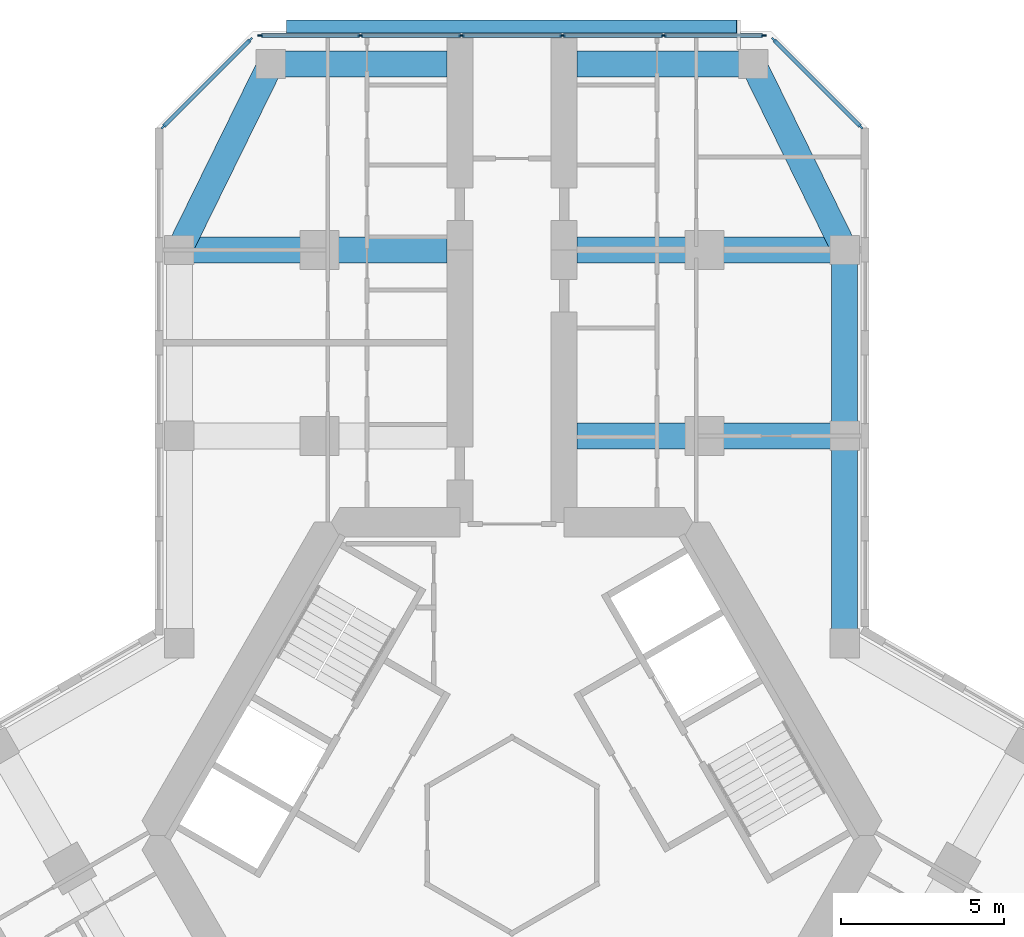
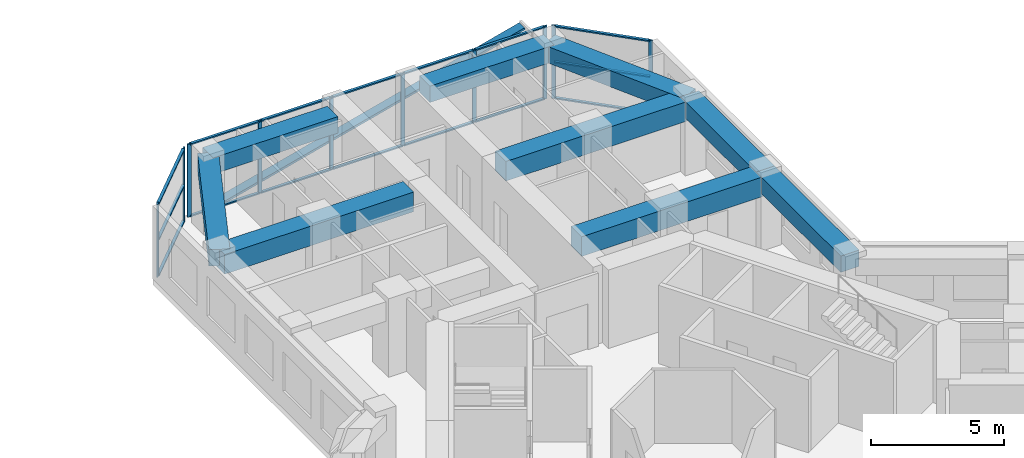
# One storey, part 7 of 19: 27 members, 9 beams, 3 elements without a shape of their own.
"""IFC4 building model written with IfcOpenShell, lengths in metres."""

from ifc_helpers import new_model, si_unit, direction, frame, origin, origin_2d, place, context, subcontext, project, spatial, rectangle, extrude, material, material_profile, profile_set, type_object, element, aggregate, save


model = new_model("IFC4")

# Units and contexts
model_context = context("Model", 3, precision=1e-05, world=origin(), true_north=direction((0.0, 1.0)))
body_context = subcontext(model_context, "Body", "Model", "MODEL_VIEW")
ifc_project = project(units=[si_unit("LENGTHUNIT", "METRE"), si_unit("AREAUNIT", "SQUARE_METRE"), si_unit("VOLUMEUNIT", "CUBIC_METRE"), si_unit("PLANEANGLEUNIT", "RADIAN"), si_unit("MASSUNIT", "GRAM", prefix="KILO")], contexts=[model_context])

# Site, building, storey
site_placement = place(None, origin())
site = spatial("IfcSite", under=ifc_project, at=site_placement, CompositionType="ELEMENT")
building_placement = place(site_placement, origin())
building = spatial("IfcBuilding", under=site, at=building_placement, Name="Kosmar Iwan School Tower", CompositionType="ELEMENT")
storey_placement = place(building_placement, frame((0.0, 0.0, 134.60009765625)))
storey = spatial("IfcBuildingStorey", under=building, at=storey_placement, Name="L33", CompositionType="ELEMENT", Elevation=134.60009765625)

# Member
ifc_material_1 = material(Name="Black anodised aluminium", Category="aluminium")
ifc_material_profile_1 = material_profile(ifc_material_1, rectangle(XDim=0.10009765625, YDim=0.39990234375, at=origin_2d()), Name="FIN 100x400")
ifc_profile_set_1 = profile_set([ifc_material_profile_1], Name="Black anodised aluminium")
member_type_1 = type_object("IfcMemberType", Name="Diagonal fin 100x400", PredefinedType="USERDEFINED", material=ifc_profile_set_1)
member_1_placement = place(storey_placement, frame((-6.898193359375, 24.800048828125, -0.150146484375), z_axis=(0.967599450335, 0.0, 0.252490205179), x_axis=(-0.252490205179, 0.0, 0.967599450335)))
element("IfcMember", 1, at=member_1_placement, inside=storey, type_object=member_type_1, Name="Diagonal fin L33-F08", ObjectType="FIN", PredefinedType="USERDEFINED", context=body_context, shape_type="SweptSolid", body=[
    extrude(rectangle(XDim=0.10009765625, YDim=0.39990234375, at=origin_2d()), origin(), (0.0, 0.0, 1.0), 14.25830078125),
])

# Curtain wall, members
ifc_material_2 = material(Name="Dark glass in black aluminium frame", Category="aluminium")
curtain_wall_type_1 = type_object("IfcCurtainWallType", Name="Chamfer curtain wall dark glass", PredefinedType="USERDEFINED", material=ifc_material_2)
curtain_wall_1_placement = place(storey_placement, origin())
curtain_wall_1 = element("IfcCurtainWall", 2, at=curtain_wall_1_placement, inside=storey, type_object=curtain_wall_type_1, Name="Curtain wall L33-F07", ObjectType="FACETED CURTAIN WALL", PredefinedType="USERDEFINED")
ifc_material_3 = material(Name="Black anodised aluminium", Category="aluminium")
ifc_material_profile_2 = material_profile(ifc_material_3, rectangle(XDim=0.06005859375, YDim=0.159912109375, at=origin_2d()), Name="MULLION 60x160")
ifc_profile_set_2 = profile_set([ifc_material_profile_2], Name="Black anodised aluminium")
member_type_2 = type_object("IfcMemberType", Name="Mullion 60x160", PredefinedType="MULLION", material=ifc_profile_set_2)
member_2_placement = place(storey_placement, frame((10.69775390625, 21.7255859375, 0.0), z_axis=(0.0, 0.0, 1.0), x_axis=(-0.707106781187, -0.707106781187, 0.0)))
member_2 = element("IfcMember", 3, at=member_2_placement, type_object=member_type_2, Name="CW2 mullion 1", PredefinedType="MULLION", context=body_context, shape_type="SweptSolid", body=[
    extrude(rectangle(XDim=0.06005859375, YDim=0.159912109375, at=origin_2d()), origin(), (0.0, 0.0, 1.0), 3.349853515625),
])
member_3_placement = place(storey_placement, frame((8.025390625, 24.397705078125, 0.0), z_axis=(0.0, 0.0, 1.0), x_axis=(-0.707106781187, -0.707106781187, 0.0)))
member_3 = element("IfcMember", 4, at=member_3_placement, type_object=member_type_2, Name="CW2 mullion 2", PredefinedType="MULLION", context=body_context, shape_type="SweptSolid", body=[
    extrude(rectangle(XDim=0.06005859375, YDim=0.159912109375, at=origin_2d()), origin(), (0.0, 0.0, 1.0), 3.349853515625),
])

ifc_material_4 = material(Name="Dark glass in black aluminium frame", Category="aluminium")
curtain_wall_type_2 = type_object("IfcCurtainWallType", Name="Tower curtain wall dark glass", PredefinedType="USERDEFINED", material=ifc_material_4)
curtain_wall_2_placement = place(storey_placement, origin())
curtain_wall_2 = element("IfcCurtainWall", 5, at=curtain_wall_2_placement, inside=storey, type_object=curtain_wall_type_2, Name="Curtain wall L33-F08", ObjectType="UNITISED CURTAIN WALL", PredefinedType="USERDEFINED")
member_4_placement = place(storey_placement, frame((7.71826171875, 24.52490234375, 0.0), z_axis=(0.0, 0.0, 1.0), x_axis=(0.0, -1.0, 0.0)))
member_4 = element("IfcMember", 6, at=member_4_placement, type_object=member_type_2, Name="CW1 mullion 1", PredefinedType="MULLION", context=body_context, shape_type="SweptSolid", body=[
    extrude(rectangle(XDim=0.06005859375, YDim=0.159912109375, at=origin_2d()), origin(), (0.0, 0.0, 1.0), 3.349853515625),
])
member_5_placement = place(storey_placement, frame((4.64892578125, 24.52490234375, 0.0), z_axis=(0.0, 0.0, 1.0), x_axis=(0.0, -1.0, 0.0)))
member_5 = element("IfcMember", 7, at=member_5_placement, type_object=member_type_2, Name="CW1 mullion 2", PredefinedType="MULLION", context=body_context, shape_type="SweptSolid", body=[
    extrude(rectangle(XDim=0.06005859375, YDim=0.159912109375, at=origin_2d()), origin(), (0.0, 0.0, 1.0), 3.349853515625),
])
member_6_placement = place(storey_placement, frame((1.549560546875, 24.52490234375, 0.0), z_axis=(0.0, 0.0, 1.0), x_axis=(0.0, -1.0, 0.0)))
member_6 = element("IfcMember", 8, at=member_6_placement, type_object=member_type_2, Name="CW1 mullion 3", PredefinedType="MULLION", context=body_context, shape_type="SweptSolid", body=[
    extrude(rectangle(XDim=0.06005859375, YDim=0.159912109375, at=origin_2d()), origin(), (0.0, 0.0, 1.0), 3.349853515625),
])
member_7_placement = place(storey_placement, frame((-1.549560546875, 24.52490234375, 0.0), z_axis=(0.0, 0.0, 1.0), x_axis=(0.0, -1.0, 0.0)))
member_7 = element("IfcMember", 9, at=member_7_placement, type_object=member_type_2, Name="CW1 mullion 4", PredefinedType="MULLION", context=body_context, shape_type="SweptSolid", body=[
    extrude(rectangle(XDim=0.06005859375, YDim=0.159912109375, at=origin_2d()), origin(), (0.0, 0.0, 1.0), 3.349853515625),
])
member_8_placement = place(storey_placement, frame((-4.64892578125, 24.52490234375, 0.0), z_axis=(0.0, 0.0, 1.0), x_axis=(0.0, -1.0, 0.0)))
member_8 = element("IfcMember", 10, at=member_8_placement, type_object=member_type_2, Name="CW1 mullion 5", PredefinedType="MULLION", context=body_context, shape_type="SweptSolid", body=[
    extrude(rectangle(XDim=0.06005859375, YDim=0.159912109375, at=origin_2d()), origin(), (0.0, 0.0, 1.0), 3.349853515625),
])
member_9_placement = place(storey_placement, frame((-7.71826171875, 24.52490234375, 0.0), z_axis=(0.0, 0.0, 1.0), x_axis=(0.0, -1.0, 0.0)))
member_9 = element("IfcMember", 11, at=member_9_placement, type_object=member_type_2, Name="CW1 mullion 6", PredefinedType="MULLION", context=body_context, shape_type="SweptSolid", body=[
    extrude(rectangle(XDim=0.06005859375, YDim=0.159912109375, at=origin_2d()), origin(), (0.0, 0.0, 1.0), 3.349853515625),
])

curtain_wall_3_placement = place(storey_placement, origin())
curtain_wall_3 = element("IfcCurtainWall", 12, at=curtain_wall_3_placement, inside=storey, type_object=curtain_wall_type_1, Name="Curtain wall L33-F09", ObjectType="FACETED CURTAIN WALL", PredefinedType="USERDEFINED")
member_10_placement = place(storey_placement, frame((-8.025390625, 24.397705078125, 0.0), z_axis=(0.0, 0.0, 1.0), x_axis=(0.707106781187, -0.707106781187, 0.0)))
member_10 = element("IfcMember", 13, at=member_10_placement, type_object=member_type_2, Name="CW2 mullion 1", PredefinedType="MULLION", context=body_context, shape_type="SweptSolid", body=[
    extrude(rectangle(XDim=0.06005859375, YDim=0.159912109375, at=origin_2d()), origin(), (0.0, 0.0, 1.0), 3.349853515625),
])
member_11_placement = place(storey_placement, frame((-10.69775390625, 21.7255859375, 0.0), z_axis=(0.0, 0.0, 1.0), x_axis=(0.707106781187, -0.707106781187, 0.0)))
member_11 = element("IfcMember", 14, at=member_11_placement, type_object=member_type_2, Name="CW2 mullion 2", PredefinedType="MULLION", context=body_context, shape_type="SweptSolid", body=[
    extrude(rectangle(XDim=0.06005859375, YDim=0.159912109375, at=origin_2d()), origin(), (0.0, 0.0, 1.0), 3.349853515625),
])

# Beams
ifc_material_5 = material(Name="Concrete C50/60", Category="concrete")
ifc_material_profile_3 = material_profile(ifc_material_5, rectangle(XDim=0.800048828125, YDim=0.75, at=origin_2d()), Name="RC 800x750")
ifc_profile_set_3 = profile_set([ifc_material_profile_3], Name="Concrete C50/60")
beam_type_1 = type_object("IfcBeamType", Name="RC edge beam 800x750", PredefinedType="BEAM", material=ifc_profile_set_3)
beam_1_placement = place(storey_placement, frame((10.199951171875, 5.888916015625, 2.974853515625), z_axis=(0.0, 1.0, 0.0), x_axis=(-1.0, 0.0, 0.0)))
element("IfcBeam", 15, at=beam_1_placement, inside=storey, type_object=beam_type_1, Name="Edge beam AR1", PredefinedType="BEAM", context=body_context, shape_type="SweptSolid", body=[
    extrude(rectangle(XDim=0.800048828125, YDim=0.75, at=origin_2d()), origin(), (0.0, 0.0, 1.0), 6.361083984375),
])
beam_2_placement = place(storey_placement, frame((10.199951171875, 12.25, 2.974853515625), z_axis=(0.0, 1.0, 0.0), x_axis=(-1.0, 0.0, 0.0)))
element("IfcBeam", 16, at=beam_2_placement, inside=storey, type_object=beam_type_1, Name="Edge beam AR2", PredefinedType="BEAM", context=body_context, shape_type="SweptSolid", body=[
    extrude(rectangle(XDim=0.800048828125, YDim=0.75, at=origin_2d()), origin(), (0.0, 0.0, 1.0), 5.699951171875),
])
ifc_material_6 = material(Name="Concrete C50/60", Category="concrete")
ifc_material_profile_4 = material_profile(ifc_material_6, rectangle(XDim=0.800048828125, YDim=0.75, at=origin_2d()), Name="RC 800x750")
ifc_profile_set_4 = profile_set([ifc_material_profile_4], Name="Concrete C50/60")
beam_type_2 = type_object("IfcBeamType", Name="RC tip beam 800x750", PredefinedType="BEAM", material=ifc_profile_set_4)
beam_3_placement = place(storey_placement, frame((-10.199951171875, 17.949951171875, 2.974853515625), z_axis=(0.440913116462, 0.897549788999, 0.0), x_axis=(-0.897549788999, 0.440913116462, 0.0)))
element("IfcBeam", 17, at=beam_3_placement, inside=storey, type_object=beam_type_2, Name="Tip beam AL", PredefinedType="BEAM", context=body_context, shape_type="SweptSolid", body=[
    extrude(rectangle(XDim=0.800048828125, YDim=0.75, at=origin_2d()), origin(), (0.0, 0.0, 1.0), 6.3505859375),
])
beam_4_placement = place(storey_placement, frame((-7.39990234375, 23.64990234375, 2.974853515625), z_axis=(1.0, 0.0, 0.0), x_axis=(0.0, 1.0, 0.0)))
element("IfcBeam", 18, at=beam_4_placement, inside=storey, type_object=beam_type_2, Name="Tip beam AL to corridor wall", PredefinedType="BEAM", context=body_context, shape_type="SweptSolid", body=[
    extrude(rectangle(XDim=0.800048828125, YDim=0.75, at=origin_2d()), origin(), (0.0, 0.0, 1.0), 5.39990234375),
])
beam_5_placement = place(storey_placement, frame((10.199951171875, 17.949951171875, 2.974853515625), z_axis=(-0.440913116462, 0.897549788999, 0.0), x_axis=(-0.897549788999, -0.440913116462, 0.0)))
element("IfcBeam", 19, at=beam_5_placement, inside=storey, type_object=beam_type_2, Name="Tip beam AR", PredefinedType="BEAM", context=body_context, shape_type="SweptSolid", body=[
    extrude(rectangle(XDim=0.800048828125, YDim=0.75, at=origin_2d()), origin(), (0.0, 0.0, 1.0), 6.3505859375),
])
beam_6_placement = place(storey_placement, frame((7.39990234375, 23.64990234375, 2.974853515625), z_axis=(-1.0, 0.0, 0.0), x_axis=(0.0, -1.0, 0.0)))
element("IfcBeam", 20, at=beam_6_placement, inside=storey, type_object=beam_type_2, Name="Tip beam AR to corridor wall", PredefinedType="BEAM", context=body_context, shape_type="SweptSolid", body=[
    extrude(rectangle(XDim=0.800048828125, YDim=0.75, at=origin_2d()), origin(), (0.0, 0.0, 1.0), 5.39990234375),
])
ifc_material_7 = material(Name="Concrete C50/60", Category="concrete")
ifc_material_profile_5 = material_profile(ifc_material_7, rectangle(XDim=0.800048828125, YDim=0.89990234375, at=origin_2d()), Name="RC 800x900")
ifc_profile_set_5 = profile_set([ifc_material_profile_5], Name="Concrete C50/60")
beam_type_3 = type_object("IfcBeamType", Name="RC transverse beam 800x900", PredefinedType="BEAM", material=ifc_profile_set_5)
for number, where, z_axis, x_axis, name in (
    (21, (-10.199951171875, 17.949951171875, 2.89990234375), (1.0, 0.0, 0.0), (0.0, 1.0, 0.0), "Transverse beam AL2"),
    (22, (10.199951171875, 12.25, 2.89990234375), (-1.0, 0.0, 0.0), (0.0, -1.0, 0.0), "Transverse beam AR1"),
    (23, (10.199951171875, 17.949951171875, 2.89990234375), (-1.0, 0.0, 0.0), (0.0, -1.0, 0.0), "Transverse beam AR2"),
):
    element("IfcBeam", number, at=place(storey_placement, frame(where, z_axis=z_axis, x_axis=x_axis)), inside=storey, type_object=beam_type_3, Name=name, PredefinedType="BEAM", context=body_context, shape_type="SweptSolid", body=[
        extrude(rectangle(XDim=0.800048828125, YDim=0.89990234375, at=origin_2d()), origin(), (0.0, 0.0, 1.0), 8.199951171875),
    ])

# Member
ifc_material_8 = material(Name="Black anodised aluminium", Category="aluminium")
ifc_material_profile_6 = material_profile(ifc_material_8, rectangle(XDim=0.1201171875, YDim=0.06005859375, at=origin_2d()), Name="TRANSOM 60x120")
ifc_profile_set_6 = profile_set([ifc_material_profile_6], Name="Black anodised aluminium")
member_type_3 = type_object("IfcMemberType", Name="Transom 60x120", PredefinedType="USERDEFINED", material=ifc_profile_set_6)
member_12_placement = place(storey_placement, frame((10.676513671875, 21.746826171875, 0.02978515625), z_axis=(-0.707139603466, 0.707073957383, 0.0), x_axis=(-0.707073957383, -0.707139603466, 0.0)))
member_12 = element("IfcMember", 24, at=member_12_placement, type_object=member_type_3, Name="CW2 transom 1.1", ObjectType="TRANSOM", PredefinedType="USERDEFINED", context=body_context, shape_type="SweptSolid", body=[
    extrude(rectangle(XDim=0.1201171875, YDim=0.06005859375, at=origin_2d()), origin(), (0.0, 0.0, 1.0), 3.718994140625),
])

member_13_placement = place(storey_placement, frame((10.676513671875, 21.746826171875, 1.6748046875), z_axis=(-0.707139603466, 0.707073957383, 0.0), x_axis=(-0.707073957383, -0.707139603466, 0.0)))
member_13 = element("IfcMember", 25, at=member_13_placement, type_object=member_type_3, Name="CW2 transom 1.2", ObjectType="TRANSOM", PredefinedType="USERDEFINED", context=body_context, shape_type="SweptSolid", body=[
    extrude(rectangle(XDim=0.1201171875, YDim=0.06005859375, at=origin_2d()), origin(), (0.0, 0.0, 1.0), 3.718994140625),
])

member_14_placement = place(storey_placement, frame((10.676513671875, 21.746826171875, 3.31982421875), z_axis=(-0.707139603466, 0.707073957383, 0.0), x_axis=(-0.707073957383, -0.707139603466, 0.0)))
member_14 = element("IfcMember", 26, at=member_14_placement, type_object=member_type_3, Name="CW2 transom 1.3", ObjectType="TRANSOM", PredefinedType="USERDEFINED", context=body_context, shape_type="SweptSolid", body=[
    extrude(rectangle(XDim=0.1201171875, YDim=0.06005859375, at=origin_2d()), origin(), (0.0, 0.0, 1.0), 3.718994140625),
])

aggregate(curtain_wall_1, [member_2, member_3, member_12, member_13, member_14])

member_15_placement = place(storey_placement, frame((7.688232421875, 24.52490234375, 0.02978515625), z_axis=(-1.0, 0.0, 0.0), x_axis=(0.0, -1.0, 0.0)))
member_15 = element("IfcMember", 27, at=member_15_placement, type_object=member_type_3, Name="CW1 transom 1.1", ObjectType="TRANSOM", PredefinedType="USERDEFINED", context=body_context, shape_type="SweptSolid", body=[
    extrude(rectangle(XDim=0.1201171875, YDim=0.06005859375, at=origin_2d()), origin(), (0.0, 0.0, 1.0), 3.00927734375),
])

member_16_placement = place(storey_placement, frame((7.688232421875, 24.52490234375, 3.31982421875), z_axis=(-1.0, 0.0, 0.0), x_axis=(0.0, -1.0, 0.0)))
member_16 = element("IfcMember", 28, at=member_16_placement, type_object=member_type_3, Name="CW1 transom 1.2", ObjectType="TRANSOM", PredefinedType="USERDEFINED", context=body_context, shape_type="SweptSolid", body=[
    extrude(rectangle(XDim=0.1201171875, YDim=0.06005859375, at=origin_2d()), origin(), (0.0, 0.0, 1.0), 3.00927734375),
])

member_17_placement = place(storey_placement, frame((4.618896484375, 24.52490234375, 0.02978515625), z_axis=(-1.0, 0.0, 0.0), x_axis=(0.0, -1.0, 0.0)))
member_17 = element("IfcMember", 29, at=member_17_placement, type_object=member_type_3, Name="CW1 transom 2.1", ObjectType="TRANSOM", PredefinedType="USERDEFINED", context=body_context, shape_type="SweptSolid", body=[
    extrude(rectangle(XDim=0.1201171875, YDim=0.06005859375, at=origin_2d()), origin(), (0.0, 0.0, 1.0), 3.039306640625),
])

member_18_placement = place(storey_placement, frame((4.618896484375, 24.52490234375, 3.31982421875), z_axis=(-1.0, 0.0, 0.0), x_axis=(0.0, -1.0, 0.0)))
member_18 = element("IfcMember", 30, at=member_18_placement, type_object=member_type_3, Name="CW1 transom 2.2", ObjectType="TRANSOM", PredefinedType="USERDEFINED", context=body_context, shape_type="SweptSolid", body=[
    extrude(rectangle(XDim=0.1201171875, YDim=0.06005859375, at=origin_2d()), origin(), (0.0, 0.0, 1.0), 3.039306640625),
])

member_19_placement = place(storey_placement, frame((1.51953125, 24.52490234375, 0.02978515625), z_axis=(-1.0, 0.0, 0.0), x_axis=(0.0, -1.0, 0.0)))
member_19 = element("IfcMember", 31, at=member_19_placement, type_object=member_type_3, Name="CW1 transom 3.1", ObjectType="TRANSOM", PredefinedType="USERDEFINED", context=body_context, shape_type="SweptSolid", body=[
    extrude(rectangle(XDim=0.1201171875, YDim=0.06005859375, at=origin_2d()), origin(), (0.0, 0.0, 1.0), 3.0390625),
])

member_20_placement = place(storey_placement, frame((1.51953125, 24.52490234375, 3.31982421875), z_axis=(-1.0, 0.0, 0.0), x_axis=(0.0, -1.0, 0.0)))
member_20 = element("IfcMember", 32, at=member_20_placement, type_object=member_type_3, Name="CW1 transom 3.2", ObjectType="TRANSOM", PredefinedType="USERDEFINED", context=body_context, shape_type="SweptSolid", body=[
    extrude(rectangle(XDim=0.1201171875, YDim=0.06005859375, at=origin_2d()), origin(), (0.0, 0.0, 1.0), 3.0390625),
])

member_21_placement = place(storey_placement, frame((-1.57958984375, 24.52490234375, 0.02978515625), z_axis=(-1.0, 0.0, 0.0), x_axis=(0.0, -1.0, 0.0)))
member_21 = element("IfcMember", 33, at=member_21_placement, type_object=member_type_3, Name="CW1 transom 4.1", ObjectType="TRANSOM", PredefinedType="USERDEFINED", context=body_context, shape_type="SweptSolid", body=[
    extrude(rectangle(XDim=0.1201171875, YDim=0.06005859375, at=origin_2d()), origin(), (0.0, 0.0, 1.0), 3.039306640625),
])

member_22_placement = place(storey_placement, frame((-1.57958984375, 24.52490234375, 3.31982421875), z_axis=(-1.0, 0.0, 0.0), x_axis=(0.0, -1.0, 0.0)))
member_22 = element("IfcMember", 34, at=member_22_placement, type_object=member_type_3, Name="CW1 transom 4.2", ObjectType="TRANSOM", PredefinedType="USERDEFINED", context=body_context, shape_type="SweptSolid", body=[
    extrude(rectangle(XDim=0.1201171875, YDim=0.06005859375, at=origin_2d()), origin(), (0.0, 0.0, 1.0), 3.039306640625),
])

member_23_placement = place(storey_placement, frame((-4.678955078125, 24.52490234375, 0.02978515625), z_axis=(-1.0, 0.0, 0.0), x_axis=(0.0, -1.0, 0.0)))
member_23 = element("IfcMember", 35, at=member_23_placement, type_object=member_type_3, Name="CW1 transom 5.1", ObjectType="TRANSOM", PredefinedType="USERDEFINED", context=body_context, shape_type="SweptSolid", body=[
    extrude(rectangle(XDim=0.1201171875, YDim=0.06005859375, at=origin_2d()), origin(), (0.0, 0.0, 1.0), 3.00927734375),
])

member_24_placement = place(storey_placement, frame((-4.678955078125, 24.52490234375, 3.31982421875), z_axis=(-1.0, 0.0, 0.0), x_axis=(0.0, -1.0, 0.0)))
member_24 = element("IfcMember", 36, at=member_24_placement, type_object=member_type_3, Name="CW1 transom 5.2", ObjectType="TRANSOM", PredefinedType="USERDEFINED", context=body_context, shape_type="SweptSolid", body=[
    extrude(rectangle(XDim=0.1201171875, YDim=0.06005859375, at=origin_2d()), origin(), (0.0, 0.0, 1.0), 3.00927734375),
])

aggregate(curtain_wall_2, [member_4, member_5, member_6, member_7, member_8, member_9, member_15, member_16, member_17, member_18, member_19, member_20, member_21, member_22, member_23, member_24])

member_25_placement = place(storey_placement, frame((-8.046630859375, 24.37646484375, 0.02978515625), z_axis=(-0.707139603466, -0.707073957383, 0.0), x_axis=(0.707073957383, -0.707139603466, 0.0)))
member_25 = element("IfcMember", 37, at=member_25_placement, type_object=member_type_3, Name="CW2 transom 1.1", ObjectType="TRANSOM", PredefinedType="USERDEFINED", context=body_context, shape_type="SweptSolid", body=[
    extrude(rectangle(XDim=0.1201171875, YDim=0.06005859375, at=origin_2d()), origin(), (0.0, 0.0, 1.0), 3.718994140625),
])

member_26_placement = place(storey_placement, frame((-8.046630859375, 24.37646484375, 1.6748046875), z_axis=(-0.707139603466, -0.707073957383, 0.0), x_axis=(0.707073957383, -0.707139603466, 0.0)))
member_26 = element("IfcMember", 38, at=member_26_placement, type_object=member_type_3, Name="CW2 transom 1.2", ObjectType="TRANSOM", PredefinedType="USERDEFINED", context=body_context, shape_type="SweptSolid", body=[
    extrude(rectangle(XDim=0.1201171875, YDim=0.06005859375, at=origin_2d()), origin(), (0.0, 0.0, 1.0), 3.718994140625),
])

member_27_placement = place(storey_placement, frame((-8.046630859375, 24.37646484375, 3.31982421875), z_axis=(-0.707139603466, -0.707073957383, 0.0), x_axis=(0.707073957383, -0.707139603466, 0.0)))
member_27 = element("IfcMember", 39, at=member_27_placement, type_object=member_type_3, Name="CW2 transom 1.3", ObjectType="TRANSOM", PredefinedType="USERDEFINED", context=body_context, shape_type="SweptSolid", body=[
    extrude(rectangle(XDim=0.1201171875, YDim=0.06005859375, at=origin_2d()), origin(), (0.0, 0.0, 1.0), 3.718994140625),
])

aggregate(curtain_wall_3, [member_10, member_11, member_25, member_26, member_27])

save(model, "model.ifc")
